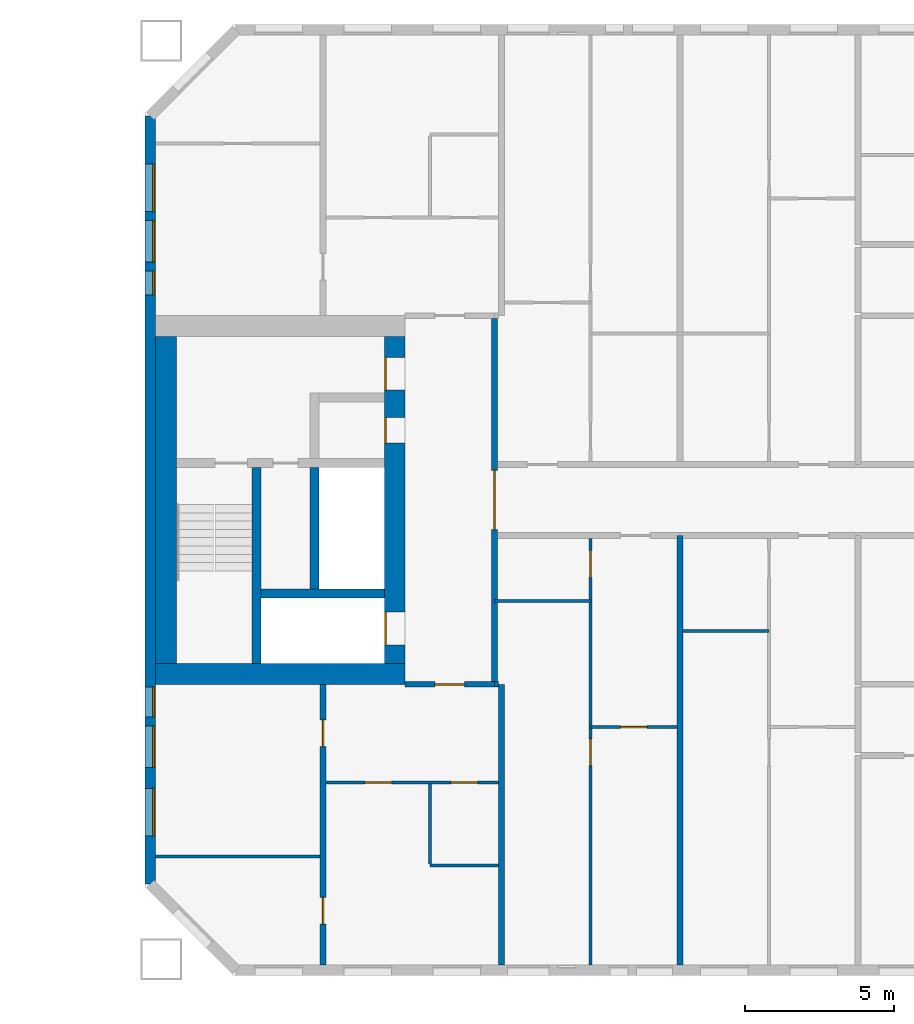
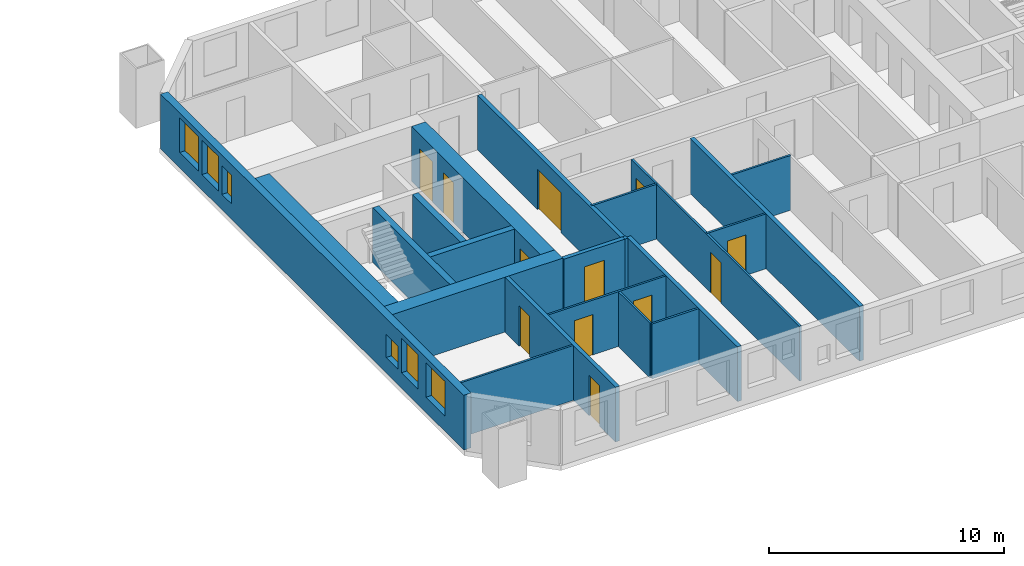
# One storey, part 9 of 17: 21 walls, 12 doors, 6 windows, 18 openings.
"""IFC4 building model written with IfcOpenShell, lengths in metres."""

from ifc_helpers import new_model, si_unit, direction, frame, frame_2d, origin, place, context, subcontext, project, spatial, rectangle, extrude, material, layer, layer_set, type_object, element, fill, save


model = new_model("IFC4")

# Units and contexts
model_context = context("Model", 3, precision=1e-05, world=origin(), true_north=direction((0.0, 1.0)))
body_context = subcontext(model_context, "Body", "Model", "MODEL_VIEW")
ifc_project = project(units=[si_unit("LENGTHUNIT", "METRE"), si_unit("AREAUNIT", "SQUARE_METRE"), si_unit("VOLUMEUNIT", "CUBIC_METRE"), si_unit("PLANEANGLEUNIT", "RADIAN"), si_unit("MASSUNIT", "GRAM", prefix="KILO")], contexts=[model_context])

# Site, building, storey
site_placement = place(None, origin())
site = spatial("IfcSite", under=ifc_project, at=site_placement, CompositionType="ELEMENT")
building_placement = place(site_placement, origin())
building = spatial("IfcBuilding", under=site, at=building_placement, Name="Tuart Gate Housing", CompositionType="ELEMENT")
storey_placement = place(building_placement, frame((0.0, 0.0, 80.89990234375)))
storey = spatial("IfcBuildingStorey", under=building, at=storey_placement, Name="L22", CompositionType="ELEMENT", Elevation=80.89990234375)

# Wall, openings, windows
ifc_material_1 = material(Name="Brick", Category="masonry")
ifc_layer_1 = layer(ifc_material_1, 0.360107421875)
ifc_layer_set_1 = layer_set([ifc_layer_1], Name="Brick pier and spandrel wall 360")
wall_type_1 = type_object("IfcWallType", Name="Brick pier and spandrel wall 360", PredefinedType="STANDARD", material=ifc_layer_set_1)
wall_1_placement = place(storey_placement, frame((131.179931640625, 82.92529296875, 0.0), z_axis=(0.0, 0.0, 1.0), x_axis=(0.0, -1.0, 0.0)))
wall_1 = element("IfcWall", 1, at=wall_1_placement, inside=storey, type_object=wall_type_1, Name="External wall B-W L22", PredefinedType="STANDARD", context=body_context, shape_type="SweptSolid", body=[
    extrude(rectangle(XDim=25.850830078125, YDim=0.360107421875, at=frame_2d((12.92529296875, 0.0))), origin(), (0.0, 0.0, 1.0), 2.85009765625),
])
opening_1_placement = place(wall_1_placement, frame((1.62548828125, 0.0, 0.800048828125)))
opening_1 = element("IfcOpeningElement", 2, at=opening_1_placement, cuts=wall_1, Name="Opening W1", PredefinedType="OPENING", context=body_context, shape_type="SweptSolid", body=[
    extrude(rectangle(XDim=1.60009765625, YDim=1.800048828125, at=frame_2d((0.800048828125, 0.89990234375))), frame((0.0, 0.18994140625, 0.0), z_axis=(0.0, -1.0, 0.0), x_axis=(1.0, 0.0, 0.0)), (0.0, 0.0, 1.0), 0.380126953125),
])
opening_2_placement = place(wall_1_placement, frame((3.525390625, 0.0, 0.800048828125)))
opening_2 = element("IfcOpeningElement", 3, at=opening_2_placement, cuts=wall_1, Name="Opening W1A", PredefinedType="OPENING", context=body_context, shape_type="SweptSolid", body=[
    extrude(rectangle(XDim=1.39990234375, YDim=1.800048828125, at=frame_2d((0.699951171875, 0.89990234375))), frame((0.0, 0.18994140625, 0.0), z_axis=(0.0, -1.0, 0.0), x_axis=(1.0, 0.0, 0.0)), (0.0, 0.0, 1.0), 0.380126953125),
])
opening_3_placement = place(wall_1_placement, frame((19.225341796875, 0.0, 0.800048828125)))
opening_3 = element("IfcOpeningElement", 4, at=opening_3_placement, cuts=wall_1, Name="Opening W1O", PredefinedType="OPENING", context=body_context, shape_type="SweptSolid", body=[
    extrude(rectangle(XDim=1.0, YDim=1.199951171875, at=frame_2d((0.5, 0.60009765625))), frame((0.0, 0.18994140625, 0.0), z_axis=(0.0, -1.0, 0.0), x_axis=(1.0, 0.0, 0.0)), (0.0, 0.0, 1.0), 0.380126953125),
])
opening_4_placement = place(wall_1_placement, frame((22.62548828125, 0.0, 0.800048828125)))
opening_4 = element("IfcOpeningElement", 5, at=opening_4_placement, cuts=wall_1, Name="Opening W1", PredefinedType="OPENING", context=body_context, shape_type="SweptSolid", body=[
    extrude(rectangle(XDim=1.60009765625, YDim=1.800048828125, at=frame_2d((0.800048828125, 0.89990234375))), frame((0.0, 0.18994140625, 0.0), z_axis=(0.0, -1.0, 0.0), x_axis=(1.0, 0.0, 0.0)), (0.0, 0.0, 1.0), 0.380126953125),
])
opening_5_placement = place(wall_1_placement, frame((5.225341796875, 0.0, 0.800048828125)))
opening_5 = element("IfcOpeningElement", 6, at=opening_5_placement, cuts=wall_1, Name="Opening W1J", PredefinedType="OPENING", context=body_context, shape_type="SweptSolid", body=[
    extrude(rectangle(XDim=0.800048828125, YDim=1.5, at=frame_2d((0.39990234375, 0.75))), frame((0.0, 0.18994140625, 0.0), z_axis=(0.0, -1.0, 0.0), x_axis=(1.0, 0.0, 0.0)), (0.0, 0.0, 1.0), 0.380126953125),
])
opening_6_placement = place(wall_1_placement, frame((20.525390625, 0.0, 0.800048828125)))
opening_6 = element("IfcOpeningElement", 7, at=opening_6_placement, cuts=wall_1, Name="Opening W1A", PredefinedType="OPENING", context=body_context, shape_type="SweptSolid", body=[
    extrude(rectangle(XDim=1.39990234375, YDim=1.800048828125, at=frame_2d((0.699951171875, 0.89990234375))), frame((0.0, 0.18994140625, 0.0), z_axis=(0.0, -1.0, 0.0), x_axis=(1.0, 0.0, 0.0)), (0.0, 0.0, 1.0), 0.380126953125),
])
ifc_material_2 = material(Name="Aluminium frame with clear glass", Category="aluminium")
window_type_1 = type_object("IfcWindowType", Name="Punched window 1000 x 1200", PartitioningType="SINGLE_PANEL", PredefinedType="WINDOW", material=ifc_material_2)
window_1_placement = place(opening_3_placement, origin())
window_1 = element("IfcWindow", 8, at=window_1_placement, inside=storey, type_object=window_type_1, Name="Window W1O", OverallHeight=1.199951171875, OverallWidth=1.0, PartitioningType="SINGLE_PANEL", PredefinedType="WINDOW", context=body_context, shape_type="SweptSolid", body=[
    extrude(rectangle(XDim=1.0, YDim=1.199951171875, at=frame_2d((0.5, 0.60009765625))), frame((0.0, 0.150146484375, 0.0), z_axis=(0.0, -1.0, 0.0), x_axis=(1.0, 0.0, 0.0)), (0.0, 0.0, 1.0), 0.06005859375),
])
fill(opening_3, window_1)
ifc_material_3 = material(Name="Aluminium frame with clear glass", Category="aluminium")
window_type_2 = type_object("IfcWindowType", Name="Punched window 1400 x 1800", PartitioningType="SINGLE_PANEL", PredefinedType="WINDOW", material=ifc_material_3)
window_2_placement = place(opening_2_placement, origin())
window_2 = element("IfcWindow", 9, at=window_2_placement, inside=storey, type_object=window_type_2, Name="Window W1A", OverallHeight=1.800048828125, OverallWidth=1.39990234375, PartitioningType="SINGLE_PANEL", PredefinedType="WINDOW", context=body_context, shape_type="SweptSolid", body=[
    extrude(rectangle(XDim=1.39990234375, YDim=1.800048828125, at=frame_2d((0.699951171875, 0.89990234375))), frame((0.0, 0.150146484375, 0.0), z_axis=(0.0, -1.0, 0.0), x_axis=(1.0, 0.0, 0.0)), (0.0, 0.0, 1.0), 0.06005859375),
])
fill(opening_2, window_2)
window_3_placement = place(opening_6_placement, origin())
window_3 = element("IfcWindow", 10, at=window_3_placement, inside=storey, type_object=window_type_2, Name="Window W1A", OverallHeight=1.800048828125, OverallWidth=1.39990234375, PartitioningType="SINGLE_PANEL", PredefinedType="WINDOW", context=body_context, shape_type="SweptSolid", body=[
    extrude(rectangle(XDim=1.39990234375, YDim=1.800048828125, at=frame_2d((0.699951171875, 0.89990234375))), frame((0.0, 0.150146484375, 0.0), z_axis=(0.0, -1.0, 0.0), x_axis=(1.0, 0.0, 0.0)), (0.0, 0.0, 1.0), 0.06005859375),
])
fill(opening_6, window_3)
ifc_material_4 = material(Name="Aluminium frame with clear glass", Category="aluminium")
window_type_3 = type_object("IfcWindowType", Name="Punched window 1600 x 1800", PartitioningType="SINGLE_PANEL", PredefinedType="WINDOW", material=ifc_material_4)
window_4_placement = place(opening_1_placement, origin())
window_4 = element("IfcWindow", 11, at=window_4_placement, inside=storey, type_object=window_type_3, Name="Window W1", OverallHeight=1.800048828125, OverallWidth=1.60009765625, PartitioningType="SINGLE_PANEL", PredefinedType="WINDOW", context=body_context, shape_type="SweptSolid", body=[
    extrude(rectangle(XDim=1.60009765625, YDim=1.800048828125, at=frame_2d((0.800048828125, 0.89990234375))), frame((0.0, 0.150146484375, 0.0), z_axis=(0.0, -1.0, 0.0), x_axis=(1.0, 0.0, 0.0)), (0.0, 0.0, 1.0), 0.06005859375),
])
fill(opening_1, window_4)
window_5_placement = place(opening_4_placement, origin())
window_5 = element("IfcWindow", 12, at=window_5_placement, inside=storey, type_object=window_type_3, Name="Window W1", OverallHeight=1.800048828125, OverallWidth=1.60009765625, PartitioningType="SINGLE_PANEL", PredefinedType="WINDOW", context=body_context, shape_type="SweptSolid", body=[
    extrude(rectangle(XDim=1.60009765625, YDim=1.800048828125, at=frame_2d((0.800048828125, 0.89990234375))), frame((0.0, 0.150146484375, 0.0), z_axis=(0.0, -1.0, 0.0), x_axis=(1.0, 0.0, 0.0)), (0.0, 0.0, 1.0), 0.06005859375),
])
fill(opening_4, window_5)
ifc_material_5 = material(Name="Aluminium frame with clear glass", Category="aluminium")
window_type_4 = type_object("IfcWindowType", Name="Punched window 800 x 1500", PartitioningType="SINGLE_PANEL", PredefinedType="WINDOW", material=ifc_material_5)
window_6_placement = place(opening_5_placement, origin())
window_6 = element("IfcWindow", 13, at=window_6_placement, inside=storey, type_object=window_type_4, Name="Window W1J", OverallHeight=1.5, OverallWidth=0.800048828125, PartitioningType="SINGLE_PANEL", PredefinedType="WINDOW", context=body_context, shape_type="SweptSolid", body=[
    extrude(rectangle(XDim=0.800048828125, YDim=1.5, at=frame_2d((0.39990234375, 0.75))), frame((0.0, 0.150146484375, 0.0), z_axis=(0.0, -1.0, 0.0), x_axis=(1.0, 0.0, 0.0)), (0.0, 0.0, 1.0), 0.06005859375),
])
fill(opening_5, window_6)

# Walls
ifc_material_6 = material(Name="Concrete C50", Category="concrete")
ifc_layer_2 = layer(ifc_material_6, 0.300048828125)
ifc_layer_set_2 = layer_set([ifc_layer_2], Name="Core wall 300 C50")
wall_type_2 = type_object("IfcWallType", Name="Core wall 300 C50", PredefinedType="SHEAR", material=ifc_layer_set_2)
wall_2_placement = place(storey_placement, frame((139.06005859375, 66.85009765625, 0.0), z_axis=(0.0, 0.0, 1.0), x_axis=(-1.0, 0.0, 0.0)))
element("IfcWall", 14, at=wall_2_placement, inside=storey, type_object=wall_type_2, Name="Core wall BG.1", PredefinedType="SHEAR", context=body_context, shape_type="SweptSolid", body=[
    extrude(rectangle(XDim=4.150146484375, YDim=0.300048828125, at=frame_2d((2.0751953125, 0.0))), origin(), (0.0, 0.0, 1.0), 2.85009765625),
])
wall_3_placement = place(storey_placement, frame((136.7099609375, 67.0, 0.0), z_axis=(0.0, 0.0, 1.0), x_axis=(0.0, 1.0, 0.0)))
element("IfcWall", 15, at=wall_3_placement, inside=storey, type_object=wall_type_2, Name="Core wall BG.4", PredefinedType="SHEAR", context=body_context, shape_type="SweptSolid", body=[
    extrude(rectangle(XDim=4.10009765625, YDim=0.300048828125, at=frame_2d((2.050048828125, 0.0))), origin(), (0.0, 0.0, 1.0), 2.85009765625),
])
wall_4_placement = place(storey_placement, frame((134.760009765625, 64.5, 0.0), z_axis=(0.0, 0.0, 1.0), x_axis=(0.0, 1.0, 0.0)))
element("IfcWall", 16, at=wall_4_placement, inside=storey, type_object=wall_type_2, Name="Core wall BG.6", PredefinedType="SHEAR", context=body_context, shape_type="SweptSolid", body=[
    extrude(rectangle(XDim=6.60009765625, YDim=0.300048828125, at=frame_2d((3.300048828125, 0.0))), origin(), (0.0, 0.0, 1.0), 2.85009765625),
])

# Wall, openings, doors
ifc_material_7 = material(Name="Concrete C50", Category="concrete")
ifc_layer_3 = layer(ifc_material_7, 0.699951171875)
ifc_layer_set_3 = layer_set([ifc_layer_3], Name="Core wall 700 C50")
wall_type_3 = type_object("IfcWallType", Name="Core wall 700 C50", PredefinedType="SHEAR", material=ifc_layer_set_3)
wall_5_placement = place(storey_placement, frame((139.409912109375, 64.5, 0.0), z_axis=(0.0, 0.0, 1.0), x_axis=(0.0, 1.0, 0.0)))
wall_5 = element("IfcWall", 17, at=wall_5_placement, inside=storey, type_object=wall_type_3, Name="Core wall BG front", PredefinedType="SHEAR", context=body_context, shape_type="SweptSolid", body=[
    extrude(rectangle(XDim=11.0, YDim=0.699951171875, at=frame_2d((5.5, 0.0))), origin(), (0.0, 0.0, 1.0), 2.85009765625),
])
opening_7_placement = place(wall_5_placement, frame((0.625, 0.0, 0.0)))
opening_7 = element("IfcOpeningElement", 18, at=opening_7_placement, cuts=wall_5, Name="Opening LD-FB1", PredefinedType="OPENING", context=body_context, shape_type="SweptSolid", body=[
    extrude(rectangle(XDim=1.10009765625, YDim=2.10009765625, at=frame_2d((0.550048828125, 1.050048828125))), frame((0.0, 0.35986328125, 0.0), z_axis=(0.0, -1.0, 0.0), x_axis=(1.0, 0.0, 0.0)), (0.0, 0.0, 1.0), 0.719970703125),
])
opening_8_placement = place(wall_5_placement, frame((9.199951171875, 0.0, 0.0)))
opening_8 = element("IfcOpeningElement", 19, at=opening_8_placement, cuts=wall_5, Name="Opening D1035", PredefinedType="OPENING", context=body_context, shape_type="SweptSolid", body=[
    extrude(rectangle(XDim=1.10009765625, YDim=2.10009765625, at=frame_2d((0.550048828125, 1.050048828125))), frame((0.0, 0.35986328125, 0.0), z_axis=(0.0, -1.0, 0.0), x_axis=(1.0, 0.0, 0.0)), (0.0, 0.0, 1.0), 0.719970703125),
])
opening_9_placement = place(wall_5_placement, frame((7.425048828125, 0.0, 0.0)))
opening_9 = element("IfcOpeningElement", 20, at=opening_9_placement, cuts=wall_5, Name="Opening D1036", PredefinedType="OPENING", context=body_context, shape_type="SweptSolid", body=[
    extrude(rectangle(XDim=0.85009765625, YDim=2.10009765625, at=frame_2d((0.425048828125, 1.050048828125))), frame((0.0, 0.35986328125, 0.0), z_axis=(0.0, -1.0, 0.0), x_axis=(1.0, 0.0, 0.0)), (0.0, 0.0, 1.0), 0.719970703125),
])
ifc_material_8 = material(Name="Stainless steel", Category="steel")
door_type_1 = type_object("IfcDoorType", Name="Landing door 1100 x 2100", OperationType="DOUBLE_DOOR_SLIDING", PredefinedType="DOOR", material=ifc_material_8)
door_1_placement = place(opening_7_placement, origin())
door_1 = element("IfcDoor", 21, at=door_1_placement, inside=storey, type_object=door_type_1, Name="Lift landing door FB1", OperationType="DOUBLE_DOOR_SLIDING", OverallHeight=2.10009765625, OverallWidth=1.10009765625, PredefinedType="DOOR", context=body_context, shape_type="SweptSolid", body=[
    extrude(rectangle(XDim=1.10009765625, YDim=2.10009765625, at=frame_2d((0.550048828125, 1.050048828125))), frame((0.0, 0.3349609375, 0.0), z_axis=(0.0, -1.0, 0.0), x_axis=(1.0, 0.0, 0.0)), (0.0, 0.0, 1.0), 0.050048828125),
])
fill(opening_7, door_1)
ifc_material_9 = material(Name="Steel fire door", Category="steel")
door_type_2 = type_object("IfcDoorType", Name="Lobby door 1100 x 2100", OperationType="SINGLE_SWING_LEFT", PredefinedType="DOOR", material=ifc_material_9)
door_2_placement = place(opening_8_placement, origin())
door_2 = element("IfcDoor", 22, at=door_2_placement, inside=storey, type_object=door_type_2, Name="Lobby entry door BG.EN", OperationType="SINGLE_SWING_LEFT", OverallHeight=2.10009765625, OverallWidth=1.10009765625, PredefinedType="DOOR", context=body_context, shape_type="SweptSolid", body=[
    extrude(rectangle(XDim=1.10009765625, YDim=2.10009765625, at=frame_2d((0.550048828125, 1.050048828125))), frame((0.0, 0.3349609375, 0.0), z_axis=(0.0, -1.0, 0.0), x_axis=(1.0, 0.0, 0.0)), (0.0, 0.0, 1.0), 0.050048828125),
])
fill(opening_8, door_2)
ifc_material_10 = material(Name="Steel fire door", Category="steel")
door_type_3 = type_object("IfcDoorType", Name="Service door 850 x 2100", OperationType="SINGLE_SWING_LEFT", PredefinedType="DOOR", material=ifc_material_10)
door_3_placement = place(opening_9_placement, origin())
door_3 = element("IfcDoor", 23, at=door_3_placement, inside=storey, type_object=door_type_3, Name="Service room door BG.T1", OperationType="SINGLE_SWING_LEFT", OverallHeight=2.10009765625, OverallWidth=0.85009765625, PredefinedType="DOOR", context=body_context, shape_type="SweptSolid", body=[
    extrude(rectangle(XDim=0.85009765625, YDim=2.10009765625, at=frame_2d((0.425048828125, 1.050048828125))), frame((0.0, 0.3349609375, 0.0), z_axis=(0.0, -1.0, 0.0), x_axis=(1.0, 0.0, 0.0)), (0.0, 0.0, 1.0), 0.050048828125),
])
fill(opening_9, door_3)

# Walls
wall_6_placement = place(storey_placement, frame((131.7099609375, 64.5, 0.0), z_axis=(0.0, 0.0, 1.0), x_axis=(0.0, 1.0, 0.0)))
element("IfcWall", 24, at=wall_6_placement, inside=storey, type_object=wall_type_3, Name="Core wall BG back", PredefinedType="SHEAR", context=body_context, shape_type="SweptSolid", body=[
    extrude(rectangle(XDim=11.0, YDim=0.699951171875, at=frame_2d((5.5, 0.0))), origin(), (0.0, 0.0, 1.0), 2.85009765625),
])
wall_7_placement = place(storey_placement, frame((139.760009765625, 64.14990234375, 0.0), z_axis=(0.0, 0.0, 1.0), x_axis=(-1.0, 0.0, 0.0)))
element("IfcWall", 25, at=wall_7_placement, inside=storey, type_object=wall_type_3, Name="Core wall BG south", PredefinedType="SHEAR", context=body_context, shape_type="SweptSolid", body=[
    extrude(rectangle(XDim=8.39990234375, YDim=0.699951171875, at=frame_2d((4.199951171875, 0.0))), origin(), (0.0, 0.0, 1.0), 2.85009765625),
])

# Wall, opening, door
ifc_material_11 = material(Name="Concrete masonry 15 MPa", Category="masonry")
ifc_layer_4 = layer(ifc_material_11, 0.199951171875)
ifc_layer_set_4 = layer_set([ifc_layer_4], Name="Enclosure wall masonry 200")
wall_type_4 = type_object("IfcWallType", Name="Enclosure wall masonry 200", PredefinedType="PARTITIONING", material=ifc_layer_set_4)
wall_8_placement = place(storey_placement, frame((139.760009765625, 63.800048828125, 0.0), z_axis=(0.0, 0.0, 1.0), x_axis=(1.0, 0.0, 0.0)))
wall_8 = element("IfcWall", 26, at=wall_8_placement, inside=storey, type_object=wall_type_4, Name="Enclosure wall masonry 200", PredefinedType="PARTITIONING", context=body_context, shape_type="SweptSolid", body=[
    extrude(rectangle(XDim=3.0, YDim=0.199951171875, at=frame_2d((1.5, 0.0))), origin(), (0.0, 0.0, 1.0), 2.85009765625),
])
opening_10_placement = place(wall_8_placement, frame((1.0, 0.0, 0.0)))
opening_10 = element("IfcOpeningElement", 27, at=opening_10_placement, cuts=wall_8, Name="Opening D1048", PredefinedType="OPENING", context=body_context, shape_type="SweptSolid", body=[
    extrude(rectangle(XDim=1.0, YDim=2.10009765625, at=frame_2d((0.5, 1.050048828125))), frame((0.0, 0.10986328125, 0.0), z_axis=(0.0, -1.0, 0.0), x_axis=(1.0, 0.0, 0.0)), (0.0, 0.0, 1.0), 0.219970703125),
])
ifc_material_12 = material(Name="Timber door leaf in steel frame", Category="steel")
door_type_4 = type_object("IfcDoorType", Name="Flat entrance door 1000", OperationType="SINGLE_SWING_LEFT", PredefinedType="DOOR", material=ifc_material_12)
door_4_placement = place(opening_10_placement, frame((1.0, 0.0, 0.0), z_axis=(0.0, 0.0, 1.0), x_axis=(-1.0, 0.0, 0.0)))
door_4 = element("IfcDoor", 28, at=door_4_placement, inside=storey, type_object=door_type_4, Name="Flat entrance door", OperationType="SINGLE_SWING_LEFT", OverallHeight=2.10009765625, OverallWidth=1.0, PredefinedType="DOOR", context=body_context, shape_type="SweptSolid", body=[
    extrude(rectangle(XDim=1.0, YDim=2.10009765625, at=frame_2d((0.5, 1.050048828125))), frame((0.0, 0.025146484375, 0.0), z_axis=(0.0, -1.0, 0.0), x_axis=(1.0, 0.0, 0.0)), (0.0, 0.0, 1.0), 0.050048828125),
])
fill(opening_10, door_4)

ifc_material_13 = material(Name="Plasterboard partition")
ifc_layer_5 = layer(ifc_material_13, 0.199951171875)
ifc_layer_set_5 = layer_set([ifc_layer_5], Name="Lobby wall 200")
wall_type_5 = type_object("IfcWallType", Name="Lobby wall 200", PredefinedType="PARTITIONING", material=ifc_layer_set_5)
wall_9_placement = place(storey_placement, frame((142.760009765625, 63.89990234375, 0.0), z_axis=(0.0, 0.0, 1.0), x_axis=(0.0, 1.0, 0.0)))
wall_9 = element("IfcWall", 29, at=wall_9_placement, inside=storey, type_object=wall_type_5, Name="Lift lobby wall BG", PredefinedType="PARTITIONING", context=body_context, shape_type="SweptSolid", body=[
    extrude(rectangle(XDim=12.2001953125, YDim=0.199951171875, at=frame_2d((6.10009765625, 0.0))), origin(), (0.0, 0.0, 1.0), 2.85009765625),
])
opening_11_placement = place(wall_9_placement, frame((5.10009765625, 0.0, 0.0)))
opening_11 = element("IfcOpeningElement", 30, at=opening_11_placement, cuts=wall_9, Name="Opening D1037", PredefinedType="OPENING", context=body_context, shape_type="SweptSolid", body=[
    extrude(rectangle(XDim=2.0, YDim=2.10009765625, at=frame_2d((1.0, 1.050048828125))), frame((0.0, 0.10986328125, 0.0), z_axis=(0.0, -1.0, 0.0), x_axis=(1.0, 0.0, 0.0)), (0.0, 0.0, 1.0), 0.219970703125),
])
ifc_material_14 = material(Name="Steel fire door", Category="steel")
door_type_5 = type_object("IfcDoorType", Name="Smoke door 2000 x 2100", OperationType="DOUBLE_DOOR_SINGLE_SWING", PredefinedType="DOOR", material=ifc_material_14)
door_5_placement = place(opening_11_placement, origin())
door_5 = element("IfcDoor", 31, at=door_5_placement, inside=storey, type_object=door_type_5, Name="Lift lobby smoke door BG", OperationType="DOUBLE_DOOR_SINGLE_SWING", OverallHeight=2.10009765625, OverallWidth=2.0, PredefinedType="DOOR", context=body_context, shape_type="SweptSolid", body=[
    extrude(rectangle(XDim=2.0, YDim=2.10009765625, at=frame_2d((1.0, 1.050048828125))), frame((0.0, 0.02490234375, 0.0), z_axis=(0.0, -1.0, 0.0), x_axis=(1.0, 0.0, 0.0)), (0.0, 0.0, 1.0), 0.050048828125),
])
fill(opening_11, door_5)

# Walls
ifc_material_15 = material(Name="Gypsum board on steel studs", Category="steel")
ifc_layer_6 = layer(ifc_material_15, 0.10009765625)
ifc_layer_set_6 = layer_set([ifc_layer_6], Name="Partition 100")
wall_type_6 = type_object("IfcWallType", Name="Partition 100", PredefinedType="PARTITIONING", material=ifc_layer_set_6)
wall_10_placement = place(storey_placement, frame((140.60009765625, 57.699951171875, 0.0), z_axis=(0.0, 0.0, 1.0), x_axis=(1.0, 0.0, 0.0)))
element("IfcWall", 32, at=wall_10_placement, inside=storey, type_object=wall_type_6, Name="Partition 100", PredefinedType="PARTITIONING", context=body_context, shape_type="SweptSolid", body=[
    extrude(rectangle(XDim=2.2998046875, YDim=0.10009765625, at=frame_2d((1.14990234375, 0.0))), origin(), (0.0, 0.0, 1.0), 2.85009765625),
])
wall_11_placement = place(storey_placement, frame((131.360107421875, 58.0, 0.0), z_axis=(0.0, 0.0, 1.0), x_axis=(1.0, 0.0, 0.0)))
element("IfcWall", 33, at=wall_11_placement, inside=storey, type_object=wall_type_6, Name="Partition 100", PredefinedType="PARTITIONING", context=body_context, shape_type="SweptSolid", body=[
    extrude(rectangle(XDim=5.539794921875, YDim=0.10009765625, at=frame_2d((2.77001953125, 0.0))), origin(), (0.0, 0.0, 1.0), 2.85009765625),
])

# Wall, openings, doors
wall_12_placement = place(storey_placement, frame((137.10009765625, 60.5, 0.0), z_axis=(0.0, 0.0, 1.0), x_axis=(1.0, 0.0, 0.0)))
wall_12 = element("IfcWall", 34, at=wall_12_placement, inside=storey, type_object=wall_type_6, Name="Partition 100", PredefinedType="PARTITIONING", context=body_context, shape_type="SweptSolid", body=[
    extrude(rectangle(XDim=5.7998046875, YDim=0.10009765625, at=frame_2d((2.89990234375, 0.0))), origin(), (0.0, 0.0, 1.0), 2.85009765625),
])
opening_12_placement = place(wall_12_placement, frame((1.300048828125, 0.0, 0.0)))
opening_12 = element("IfcOpeningElement", 35, at=opening_12_placement, cuts=wall_12, Name="Opening D1060", PredefinedType="OPENING", context=body_context, shape_type="SweptSolid", body=[
    extrude(rectangle(XDim=0.89990234375, YDim=2.10009765625, at=frame_2d((0.449951171875, 1.050048828125))), frame((0.0, 0.06005859375, 0.0), z_axis=(0.0, -1.0, 0.0), x_axis=(1.0, 0.0, 0.0)), (0.0, 0.0, 1.0), 0.1201171875),
])
opening_13_placement = place(wall_12_placement, frame((4.199951171875, 0.0, 0.0)))
opening_13 = element("IfcOpeningElement", 36, at=opening_13_placement, cuts=wall_12, Name="Opening D1059", PredefinedType="OPENING", context=body_context, shape_type="SweptSolid", body=[
    extrude(rectangle(XDim=0.89990234375, YDim=2.10009765625, at=frame_2d((0.449951171875, 1.050048828125))), frame((0.0, 0.06005859375, 0.0), z_axis=(0.0, -1.0, 0.0), x_axis=(1.0, 0.0, 0.0)), (0.0, 0.0, 1.0), 0.1201171875),
])
ifc_material_16 = material(Name="Timber door leaf in steel frame", Category="steel")
door_type_6 = type_object("IfcDoorType", Name="Bathroom door 900 RH", OperationType="SINGLE_SWING_RIGHT", PredefinedType="DOOR", material=ifc_material_16)
door_6_placement = place(opening_13_placement, frame((0.89990234375, 0.0, 0.0), z_axis=(0.0, 0.0, 1.0), x_axis=(-1.0, 0.0, 0.0)))
door_6 = element("IfcDoor", 37, at=door_6_placement, inside=storey, type_object=door_type_6, Name="Bathroom door", OperationType="SINGLE_SWING_RIGHT", OverallHeight=2.10009765625, OverallWidth=0.89990234375, PredefinedType="DOOR", context=body_context, shape_type="SweptSolid", body=[
    extrude(rectangle(XDim=0.89990234375, YDim=2.10009765625, at=frame_2d((0.449951171875, 1.050048828125))), frame((0.0, 0.025146484375, 0.0), z_axis=(0.0, -1.0, 0.0), x_axis=(1.0, 0.0, 0.0)), (0.0, 0.0, 1.0), 0.050048828125),
])
fill(opening_13, door_6)
ifc_material_17 = material(Name="Timber door leaf in steel frame", Category="steel")
door_type_7 = type_object("IfcDoorType", Name="Internal door 900", OperationType="SINGLE_SWING_LEFT", PredefinedType="DOOR", material=ifc_material_17)
door_7_placement = place(opening_12_placement, origin())
door_7 = element("IfcDoor", 38, at=door_7_placement, inside=storey, type_object=door_type_7, Name="Internal door", OperationType="SINGLE_SWING_LEFT", OverallHeight=2.10009765625, OverallWidth=0.89990234375, PredefinedType="DOOR", context=body_context, shape_type="SweptSolid", body=[
    extrude(rectangle(XDim=0.89990234375, YDim=2.10009765625, at=frame_2d((0.449951171875, 1.050048828125))), frame((0.0, 0.02490234375, 0.0), z_axis=(0.0, -1.0, 0.0), x_axis=(1.0, 0.0, 0.0)), (0.0, 0.0, 1.0), 0.050048828125),
])
fill(opening_12, door_7)

# Wall, opening, door
wall_13_placement = place(storey_placement, frame((146.0, 62.360107421875, 0.0), z_axis=(0.0, 0.0, 1.0), x_axis=(1.0, 0.0, 0.0)))
wall_13 = element("IfcWall", 39, at=wall_13_placement, inside=storey, type_object=wall_type_6, Name="Partition 100", PredefinedType="PARTITIONING", context=body_context, shape_type="SweptSolid", body=[
    extrude(rectangle(XDim=2.89990234375, YDim=0.10009765625, at=frame_2d((1.449951171875, 0.0))), origin(), (0.0, 0.0, 1.0), 2.85009765625),
])
opening_14_placement = place(wall_13_placement, frame((1.0, 0.0, 0.0)))
opening_14 = element("IfcOpeningElement", 40, at=opening_14_placement, cuts=wall_13, Name="Opening D1050", PredefinedType="OPENING", context=body_context, shape_type="SweptSolid", body=[
    extrude(rectangle(XDim=0.89990234375, YDim=2.10009765625, at=frame_2d((0.449951171875, 1.050048828125))), frame((0.0, 0.06005859375, 0.0), z_axis=(0.0, -1.0, 0.0), x_axis=(1.0, 0.0, 0.0)), (0.0, 0.0, 1.0), 0.1201171875),
])
door_8_placement = place(opening_14_placement, origin())
door_8 = element("IfcDoor", 41, at=door_8_placement, inside=storey, type_object=door_type_7, Name="Internal door", OperationType="SINGLE_SWING_LEFT", OverallHeight=2.10009765625, OverallWidth=0.89990234375, PredefinedType="DOOR", context=body_context, shape_type="SweptSolid", body=[
    extrude(rectangle(XDim=0.89990234375, YDim=2.10009765625, at=frame_2d((0.449951171875, 1.050048828125))), frame((0.0, 0.02490234375, 0.0), z_axis=(0.0, -1.0, 0.0), x_axis=(1.0, 0.0, 0.0)), (0.0, 0.0, 1.0), 0.050048828125),
])
fill(opening_14, door_8)

# Walls
wall_14_placement = place(storey_placement, frame((149.10009765625, 65.60009765625, 0.0), z_axis=(0.0, 0.0, 1.0), x_axis=(1.0, 0.0, 0.0)))
element("IfcWall", 42, at=wall_14_placement, inside=storey, type_object=wall_type_6, Name="Partition 100", PredefinedType="PARTITIONING", context=body_context, shape_type="SweptSolid", body=[
    extrude(rectangle(XDim=2.89990234375, YDim=0.10009765625, at=frame_2d((1.449951171875, 0.0))), origin(), (0.0, 0.0, 1.0), 2.85009765625),
])
wall_15_placement = place(storey_placement, frame((142.760009765625, 66.60009765625, 0.0), z_axis=(0.0, 0.0, 1.0), x_axis=(1.0, 0.0, 0.0)))
element("IfcWall", 43, at=wall_15_placement, inside=storey, type_object=wall_type_6, Name="Partition 100", PredefinedType="PARTITIONING", context=body_context, shape_type="SweptSolid", body=[
    extrude(rectangle(XDim=3.239990234375, YDim=0.10009765625, at=frame_2d((1.6201171875, 0.0))), origin(), (0.0, 0.0, 1.0), 2.85009765625),
])
wall_16_placement = place(storey_placement, frame((140.60009765625, 57.75, 0.0), z_axis=(0.0, 0.0, 1.0), x_axis=(0.0, 1.0, 0.0)))
element("IfcWall", 44, at=wall_16_placement, inside=storey, type_object=wall_type_6, Name="Partition 100", PredefinedType="PARTITIONING", context=body_context, shape_type="SweptSolid", body=[
    extrude(rectangle(XDim=2.699951171875, YDim=0.10009765625, at=frame_2d((1.35009765625, 0.0))), origin(), (0.0, 0.0, 1.0), 2.85009765625),
])

# Wall, openings, doors
wall_17_placement = place(storey_placement, frame((146.0, 54.360107421875, 0.0), z_axis=(0.0, 0.0, 1.0), x_axis=(0.0, 1.0, 0.0)))
wall_17 = element("IfcWall", 45, at=wall_17_placement, inside=storey, type_object=wall_type_6, Name="Partition 100", PredefinedType="PARTITIONING", context=body_context, shape_type="SweptSolid", body=[
    extrude(rectangle(XDim=14.33984375, YDim=0.10009765625, at=frame_2d((7.169921875, 0.0))), origin(), (0.0, 0.0, 1.0), 2.85009765625),
])
opening_15_placement = place(wall_17_placement, frame((6.699951171875, 0.0, 0.0)))
opening_15 = element("IfcOpeningElement", 46, at=opening_15_placement, cuts=wall_17, Name="Opening D1053", PredefinedType="OPENING", context=body_context, shape_type="SweptSolid", body=[
    extrude(rectangle(XDim=0.89990234375, YDim=2.10009765625, at=frame_2d((0.449951171875, 1.050048828125))), frame((0.0, 0.06005859375, 0.0), z_axis=(0.0, -1.0, 0.0), x_axis=(1.0, 0.0, 0.0)), (0.0, 0.0, 1.0), 0.1201171875),
])
opening_16_placement = place(wall_17_placement, frame((13.0400390625, 0.0, 0.0)))
opening_16 = element("IfcOpeningElement", 47, at=opening_16_placement, cuts=wall_17, Name="Opening D1052", PredefinedType="OPENING", context=body_context, shape_type="SweptSolid", body=[
    extrude(rectangle(XDim=0.89990234375, YDim=2.10009765625, at=frame_2d((0.449951171875, 1.050048828125))), frame((0.0, 0.06005859375, 0.0), z_axis=(0.0, -1.0, 0.0), x_axis=(1.0, 0.0, 0.0)), (0.0, 0.0, 1.0), 0.1201171875),
])
door_9_placement = place(opening_16_placement, origin())
door_9 = element("IfcDoor", 48, at=door_9_placement, inside=storey, type_object=door_type_6, Name="Bathroom door", OperationType="SINGLE_SWING_RIGHT", OverallHeight=2.10009765625, OverallWidth=0.89990234375, PredefinedType="DOOR", context=body_context, shape_type="SweptSolid", body=[
    extrude(rectangle(XDim=0.89990234375, YDim=2.10009765625, at=frame_2d((0.449951171875, 1.050048828125))), frame((0.0, 0.02490234375, 0.0), z_axis=(0.0, -1.0, 0.0), x_axis=(1.0, 0.0, 0.0)), (0.0, 0.0, 1.0), 0.050048828125),
])
fill(opening_16, door_9)
ifc_material_18 = material(Name="Timber door leaf in steel frame", Category="steel")
door_type_8 = type_object("IfcDoorType", Name="Internal door 900 RH", OperationType="SINGLE_SWING_RIGHT", PredefinedType="DOOR", material=ifc_material_18)
door_10_placement = place(opening_15_placement, origin())
door_10 = element("IfcDoor", 49, at=door_10_placement, inside=storey, type_object=door_type_8, Name="Internal door", OperationType="SINGLE_SWING_RIGHT", OverallHeight=2.10009765625, OverallWidth=0.89990234375, PredefinedType="DOOR", context=body_context, shape_type="SweptSolid", body=[
    extrude(rectangle(XDim=0.89990234375, YDim=2.10009765625, at=frame_2d((0.449951171875, 1.050048828125))), frame((0.0, 0.02490234375, 0.0), z_axis=(0.0, -1.0, 0.0), x_axis=(1.0, 0.0, 0.0)), (0.0, 0.0, 1.0), 0.050048828125),
])
fill(opening_15, door_10)

ifc_material_19 = material(Name="Concrete C40", Category="concrete")
ifc_layer_7 = layer(ifc_material_19, 0.199951171875)
ifc_layer_set_7 = layer_set([ifc_layer_7], Name="Party wall concrete C40 200")
wall_type_7 = type_object("IfcWallType", Name="Party wall concrete C40 200", PredefinedType="SOLIDWALL", material=ifc_layer_set_7)
wall_18_placement = place(storey_placement, frame((137.0, 54.360107421875, 0.0), z_axis=(0.0, 0.0, 1.0), x_axis=(0.0, 1.0, 0.0)))
wall_18 = element("IfcWall", 50, at=wall_18_placement, inside=storey, type_object=wall_type_7, Name="Party wall concrete C40 200", PredefinedType="SOLIDWALL", context=body_context, shape_type="SweptSolid", body=[
    extrude(rectangle(XDim=9.43994140625, YDim=0.199951171875, at=frame_2d((4.719970703125, 0.0))), origin(), (0.0, 0.0, 1.0), 2.85009765625),
])
opening_17_placement = place(wall_18_placement, frame((1.3701171875, 0.0, 0.0)))
opening_17 = element("IfcOpeningElement", 51, at=opening_17_placement, cuts=wall_18, Name="Opening D1064", PredefinedType="OPENING", context=body_context, shape_type="SweptSolid", body=[
    extrude(rectangle(XDim=0.89990234375, YDim=2.10009765625, at=frame_2d((0.449951171875, 1.050048828125))), frame((0.0, 0.10986328125, 0.0), z_axis=(0.0, -1.0, 0.0), x_axis=(1.0, 0.0, 0.0)), (0.0, 0.0, 1.0), 0.219970703125),
])
opening_18_placement = place(wall_18_placement, frame((7.340087890625, 0.0, 0.0)))
opening_18 = element("IfcOpeningElement", 52, at=opening_18_placement, cuts=wall_18, Name="Opening D1065", PredefinedType="OPENING", context=body_context, shape_type="SweptSolid", body=[
    extrude(rectangle(XDim=0.89990234375, YDim=2.10009765625, at=frame_2d((0.449951171875, 1.050048828125))), frame((0.0, 0.10986328125, 0.0), z_axis=(0.0, -1.0, 0.0), x_axis=(1.0, 0.0, 0.0)), (0.0, 0.0, 1.0), 0.219970703125),
])
door_11_placement = place(opening_17_placement, origin())
door_11 = element("IfcDoor", 53, at=door_11_placement, inside=storey, type_object=door_type_7, Name="Internal door", OperationType="SINGLE_SWING_LEFT", OverallHeight=2.10009765625, OverallWidth=0.89990234375, PredefinedType="DOOR", context=body_context, shape_type="SweptSolid", body=[
    extrude(rectangle(XDim=0.89990234375, YDim=2.10009765625, at=frame_2d((0.449951171875, 1.050048828125))), frame((0.0, 0.02490234375, 0.0), z_axis=(0.0, -1.0, 0.0), x_axis=(1.0, 0.0, 0.0)), (0.0, 0.0, 1.0), 0.050048828125),
])
fill(opening_17, door_11)
door_12_placement = place(opening_18_placement, origin())
door_12 = element("IfcDoor", 54, at=door_12_placement, inside=storey, type_object=door_type_8, Name="Internal door", OperationType="SINGLE_SWING_RIGHT", OverallHeight=2.10009765625, OverallWidth=0.89990234375, PredefinedType="DOOR", context=body_context, shape_type="SweptSolid", body=[
    extrude(rectangle(XDim=0.89990234375, YDim=2.10009765625, at=frame_2d((0.449951171875, 1.050048828125))), frame((0.0, 0.02490234375, 0.0), z_axis=(0.0, -1.0, 0.0), x_axis=(1.0, 0.0, 0.0)), (0.0, 0.0, 1.0), 0.050048828125),
])
fill(opening_18, door_12)

# Walls
wall_19_placement = place(storey_placement, frame((143.0, 54.360107421875, 0.0), z_axis=(0.0, 0.0, 1.0), x_axis=(0.0, 1.0, 0.0)))
element("IfcWall", 55, at=wall_19_placement, inside=storey, type_object=wall_type_7, Name="Party wall concrete C40 200", PredefinedType="SOLIDWALL", context=body_context, shape_type="SweptSolid", body=[
    extrude(rectangle(XDim=9.43994140625, YDim=0.199951171875, at=frame_2d((4.719970703125, 0.0))), origin(), (0.0, 0.0, 1.0), 2.85009765625),
])
wall_20_placement = place(storey_placement, frame((149.0, 54.360107421875, 0.0), z_axis=(0.0, 0.0, 1.0), x_axis=(0.0, 1.0, 0.0)))
element("IfcWall", 56, at=wall_20_placement, inside=storey, type_object=wall_type_7, Name="Party wall concrete C40 200", PredefinedType="SOLIDWALL", context=body_context, shape_type="SweptSolid", body=[
    extrude(rectangle(XDim=14.43994140625, YDim=0.199951171875, at=frame_2d((7.219970703125, 0.0))), origin(), (0.0, 0.0, 1.0), 2.85009765625),
])
ifc_material_20 = material(Name="Concrete masonry 15 MPa", Category="masonry")
ifc_layer_8 = layer(ifc_material_20, 0.199951171875)
ifc_layer_set_8 = layer_set([ifc_layer_8], Name="Party wall masonry 200")
wall_type_8 = type_object("IfcWallType", Name="Party wall masonry 200", PredefinedType="PARTITIONING", material=ifc_layer_set_8)
wall_21_placement = place(storey_placement, frame((142.760009765625, 63.800048828125, 0.0), z_axis=(0.0, 0.0, 1.0), x_axis=(1.0, 0.0, 0.0)))
element("IfcWall", 57, at=wall_21_placement, inside=storey, type_object=wall_type_8, Name="Party wall masonry 200", PredefinedType="PARTITIONING", context=body_context, shape_type="SweptSolid", body=[
    extrude(rectangle(XDim=0.139892578125, YDim=0.199951171875, at=frame_2d((0.06982421875, 0.0))), origin(), (0.0, 0.0, 1.0), 2.85009765625),
])

save(model, "model.ifc")
